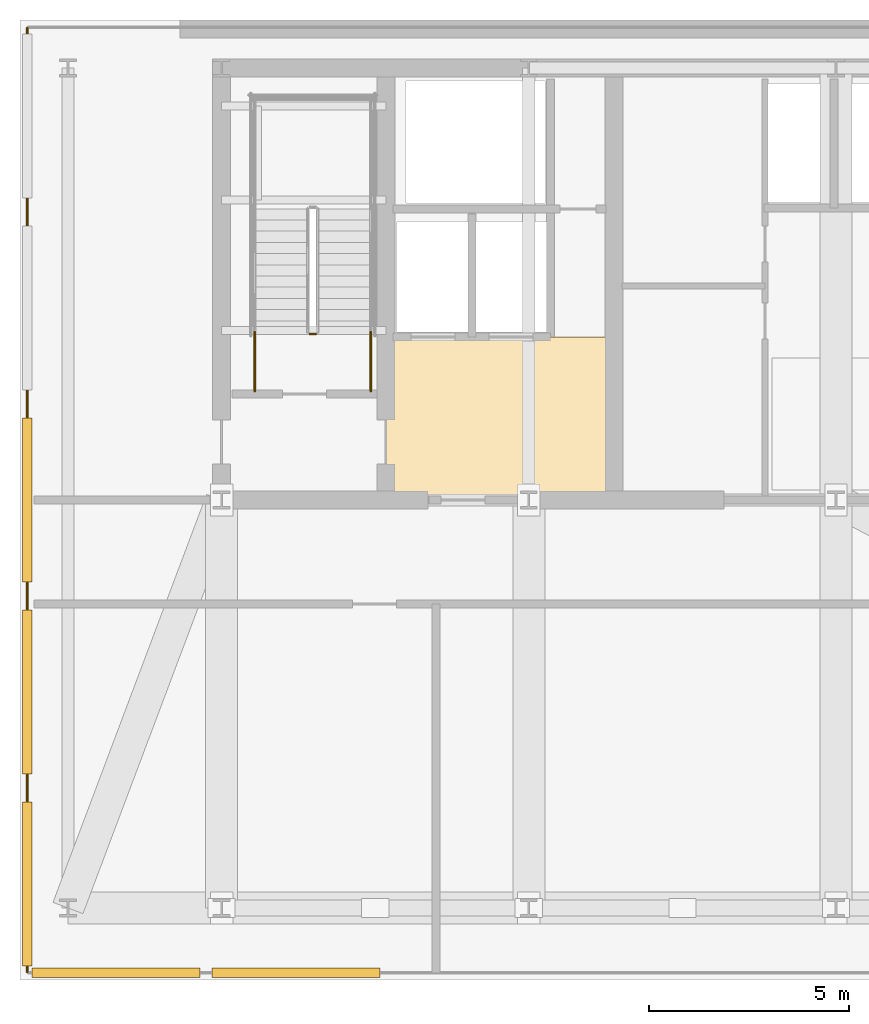
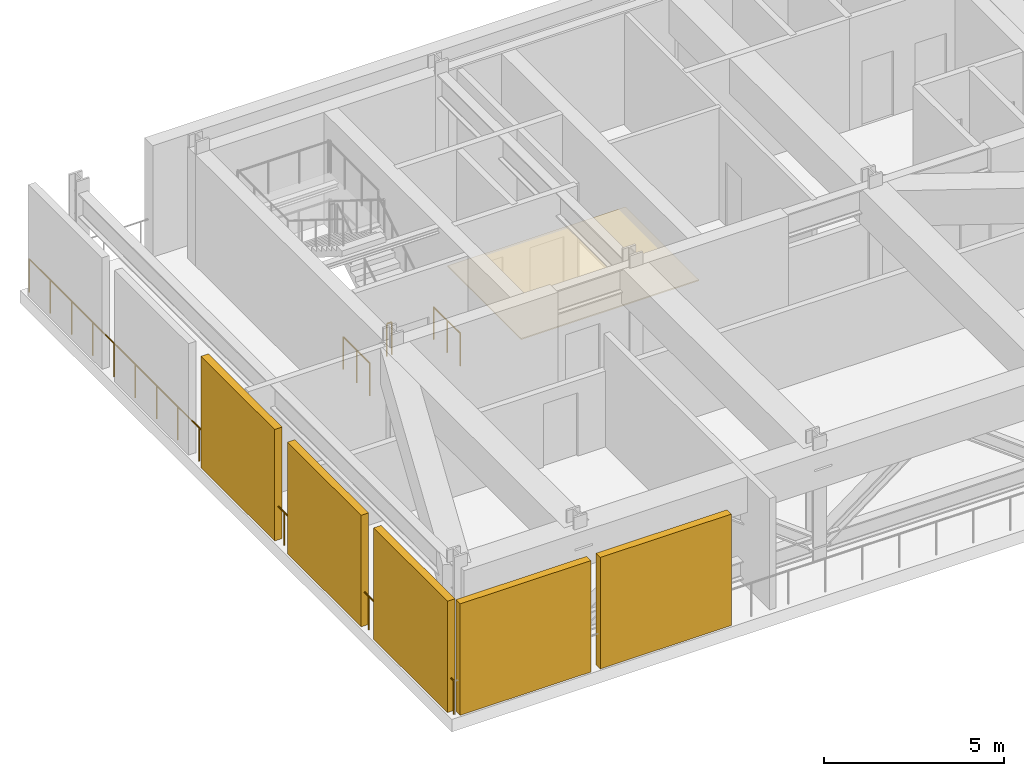
# One storey, part 4 of 8: 5 shading devices, 4 railings, 1 covering.
"""IFC4 building model written with IfcOpenShell, lengths in metres."""

import ifcopenshell
import ifcopenshell.guid

model = None  # the IFC model being written
_history = None  # IfcOwnerHistory: only IFC2X3 demands one
_inside = {}  # id of a spatial element -> (the spatial element, [elements in it])
_under = {}  # id of a project, library or spatial element -> (it, [spatial elements below it])
_declared = {}  # id of a project -> (the project, [libraries it declares])
_typed = {}  # id of a type object -> (the type object, [elements of that type])
_made_of = {}  # id of a material, layer set ... -> (it, [elements and type objects made of it])


def new_model(schema):
    """Start an empty IFC model of exactly this schema.

    Asked for "IFC4X3", IfcOpenShell would pick the latest addendum, in which some entities
    have other attributes; the version numbers below select the first issue.
    IFC2X3 requires an IfcOwnerHistory on every rooted entity: one is made here for all.
    """
    global model, _history
    if schema == "IFC4X3":
        model = ifcopenshell.file(schema_version=(4, 3, 0, 0))
    else:
        model = ifcopenshell.file(schema=schema)
    _inside.clear()
    _under.clear()
    _declared.clear()
    _typed.clear()
    _made_of.clear()
    _history = None
    if model.schema == "IFC2X3":
        org = make("IfcOrganization", Name="unknown")
        user = make(
            "IfcPersonAndOrganization",
            ThePerson=make("IfcPerson", FamilyName="unknown"),
            TheOrganization=org,
        )
        app = make(
            "IfcApplication",
            ApplicationDeveloper=org,
            Version="unknown",
            ApplicationFullName="unknown",
            ApplicationIdentifier="unknown",
        )
        _history = make(
            "IfcOwnerHistory",
            OwningUser=user,
            OwningApplication=app,
            ChangeAction="ADDED",
            CreationDate=0,
        )
    return model


def make(cls, **values):
    """One entity of the class cls with the attributes given. An attribute that is None is left unset."""
    return model.create_entity(
        cls, **{name: value for name, value in values.items() if value is not None}
    )


def rooted(cls, **values):
    """An entity with a GlobalId (a new one), such as an element, a storey or a relation."""
    return make(cls, GlobalId=ifcopenshell.guid.new(), OwnerHistory=_history, **values)


def si_unit(unit_type, name, prefix=None):
    """IfcSIUnit, for example si_unit("LENGTHUNIT", "METRE", prefix="MILLI")."""
    return make("IfcSIUnit", UnitType=unit_type, Prefix=prefix, Name=name)


def assignment(units):
    """IfcUnitAssignment: the units of a project."""
    return None if units is None else make("IfcUnitAssignment", Units=units)


def point(xyz):
    """IfcCartesianPoint."""
    return None if xyz is None else make("IfcCartesianPoint", Coordinates=xyz)


def direction(xyz):
    """IfcDirection."""
    return None if xyz is None else make("IfcDirection", DirectionRatios=xyz)


def frame(location, z_axis=None, x_axis=None):
    """IfcAxis2Placement3D, a coordinate frame: its origin and axes. An axis left out is left unset."""
    return make(
        "IfcAxis2Placement3D",
        Location=point(location),
        Axis=direction(z_axis),
        RefDirection=direction(x_axis),
    )


def frame_2d(location, x_axis=None):
    """IfcAxis2Placement2D, a coordinate frame in the plane: its origin and x axis."""
    return make(
        "IfcAxis2Placement2D", Location=point(location), RefDirection=direction(x_axis)
    )


def origin():
    """The frame at (0, 0, 0) with its axes left unset."""
    return frame((0.0, 0.0, 0.0))


def origin_2d():
    """The frame at (0, 0) in the plane with its x axis left unset."""
    return frame_2d((0.0, 0.0))


def place(relative_to, where):
    """IfcLocalPlacement: puts the frame where relative to a parent placement (None: the world)."""
    return make(
        "IfcLocalPlacement", PlacementRelTo=relative_to, RelativePlacement=where
    )


def context(
    kind, dimensions, precision=None, world=None, true_north=None, identifier=None
):
    """IfcGeometricRepresentationContext, for example the 3D "Model" context."""
    return make(
        "IfcGeometricRepresentationContext",
        ContextIdentifier=identifier,
        ContextType=kind,
        CoordinateSpaceDimension=dimensions,
        Precision=precision,
        WorldCoordinateSystem=world,
        TrueNorth=true_north,
    )


def subcontext(parent, identifier, kind, view, scale=None):
    """IfcGeometricRepresentationSubContext, for example "Body" below "Model"."""
    return make(
        "IfcGeometricRepresentationSubContext",
        ContextIdentifier=identifier,
        ContextType=kind,
        ParentContext=parent,
        TargetScale=scale,
        TargetView=view,
    )


def project(units=None, contexts=None):
    """IfcProject with its units and contexts."""
    return rooted(
        "IfcProject",
        Name="project",
        RepresentationContexts=contexts,
        UnitsInContext=assignment(units),
    )


def spatial(cls, under=None, at=None, **own):
    """A site, building, storey or space (cls), placed at a placement, below another one or the project."""
    s = rooted(cls, ObjectPlacement=at, **own)
    if under is not None:
        _under.setdefault(under.id(), (under, []))[1].append(s)
    return s


def polyline(points):
    """IfcPolyline through the points."""
    return make("IfcPolyline", Points=[point(p) for p in points])


def profile(cls, at=None, kind="AREA", **sizes):
    """A parametric profile (cls). Its sizes go by their IFC names, for example OverallWidth=200.0."""
    return make(cls, ProfileType=kind, Position=at, **sizes)


def rectangle(**sizes):
    """IfcRectangleProfileDef."""
    return profile("IfcRectangleProfileDef", **sizes)


def circle(**sizes):
    """IfcCircleProfileDef."""
    return profile("IfcCircleProfileDef", **sizes)


def outline(outer, holes=None, kind="AREA"):
    """IfcArbitraryClosedProfileDef: a profile drawn as a closed curve; with holes, ...WithVoids."""
    if holes is None:
        return make("IfcArbitraryClosedProfileDef", ProfileType=kind, OuterCurve=outer)
    return make(
        "IfcArbitraryProfileDefWithVoids",
        ProfileType=kind,
        OuterCurve=outer,
        InnerCurves=holes,
    )


def extrude(swept, where, along, depth):
    """IfcExtrudedAreaSolid: the profile swept, set in the frame where, extruded along a direction by depth."""
    return make(
        "IfcExtrudedAreaSolid",
        SweptArea=swept,
        Position=where,
        ExtrudedDirection=direction(along),
        Depth=depth,
    )


def shape(context_of_items, identifier, shape_type, items):
    """IfcShapeRepresentation: the items that make up one representation, for example the "Body"."""
    return make(
        "IfcShapeRepresentation",
        ContextOfItems=context_of_items,
        RepresentationIdentifier=identifier,
        RepresentationType=shape_type,
        Items=items,
    )


def material(Name=None, Category=None):
    """IfcMaterial."""
    return make("IfcMaterial", Name=Name, Category=Category)


def layer(
    of_material, thickness, ventilated=None, Name=None, Category=None, Priority=None
):
    """IfcMaterialLayer: one layer of a wall or slab, of a material (None: an air gap)."""
    return make(
        "IfcMaterialLayer",
        Material=of_material,
        LayerThickness=thickness,
        IsVentilated=ventilated,
        Name=Name,
        Category=Category,
        Priority=Priority,
    )


def layer_set(layers, Name=None):
    """IfcMaterialLayerSet."""
    return make("IfcMaterialLayerSet", MaterialLayers=layers, LayerSetName=Name)


def made_of(thing, what):
    """Note that an element or type object is made of a material, layer set ...; save() writes the relation."""
    if what is not None:
        _made_of.setdefault(what.id(), (what, []))[1].append(thing)
    return thing


def type_object(cls, material=None, **own):
    """A type object (cls), such as IfcWallType, which elements share."""
    return made_of(rooted(cls, **own), material)


def element(
    cls,
    number,
    at=None,
    inside=None,
    cuts=None,
    type_object=None,
    material=None,
    context=None,
    identifier="Body",
    shape_type=None,
    held_by="IfcProductDefinitionShape",
    body=None,
    shapes=None,
    **own,
):
    """One element of the class cls, such as IfcWall. Its Tag is "e" and its number.

    at: its placement. inside: the storey or other place that contains it. cuts: it is an
    opening in that element (IfcRelVoidsElement). A single representation is given by context,
    identifier, shape_type and body (its items); several are given by shapes. held_by: the class
    of the entity that holds the representations. save() writes the other relations.
    """
    e = rooted(cls, Tag="e%d" % number, ObjectPlacement=at, **own)
    if body is not None:
        shapes = [shape(context, identifier, shape_type, body)]
    if shapes is not None:
        e.Representation = make(held_by, Representations=shapes)
    if inside is not None:
        _inside.setdefault(inside.id(), (inside, []))[1].append(e)
    if cuts is not None:
        rooted(
            "IfcRelVoidsElement", RelatingBuildingElement=cuts, RelatedOpeningElement=e
        )
    if type_object is not None:
        _typed.setdefault(type_object.id(), (type_object, []))[1].append(e)
    return made_of(e, material)


def aggregate(whole, parts):
    """IfcRelAggregates: a whole, such as a stair, and the parts it consists of."""
    return rooted("IfcRelAggregates", RelatingObject=whole, RelatedObjects=parts)


def save(model, path):
    """Write the relations noted so far, then the file.

    IfcRelAggregates (storeys below a building ...), IfcRelContainedInSpatialStructure (elements
    in a storey), IfcRelDefinesByType, IfcRelAssociatesMaterial and IfcRelDeclares: one each for
    every whole, place, type object, material and project.
    """
    for whole, parts in _under.values():
        aggregate(whole, parts)
    for where, things in _inside.values():
        rooted(
            "IfcRelContainedInSpatialStructure",
            RelatedElements=things,
            RelatingStructure=where,
        )
    for kind, things in _typed.values():
        rooted("IfcRelDefinesByType", RelatedObjects=things, RelatingType=kind)
    for what, things in _made_of.values():
        rooted("IfcRelAssociatesMaterial", RelatedObjects=things, RelatingMaterial=what)
    for by, libraries in _declared.values():
        rooted("IfcRelDeclares", RelatingContext=by, RelatedDefinitions=libraries)
    model.write(path)


model = new_model("IFC4")

# Units and contexts
model_context = context("Model", 3, precision=1e-05, world=origin(), true_north=direction((0.0, 1.0)))
body_context = subcontext(model_context, "Body", "Model", "MODEL_VIEW")
ifc_project = project(units=[si_unit("LENGTHUNIT", "METRE"), si_unit("AREAUNIT", "SQUARE_METRE"), si_unit("VOLUMEUNIT", "CUBIC_METRE"), si_unit("PLANEANGLEUNIT", "RADIAN"), si_unit("MASSUNIT", "GRAM", prefix="KILO")], contexts=[model_context])

# Site, building, storey
site_placement = place(None, origin())
site = spatial("IfcSite", under=ifc_project, at=site_placement, CompositionType="ELEMENT")
building_placement = place(site_placement, origin())
building = spatial("IfcBuilding", under=site, at=building_placement, Name="Yelkora Congress Tower", CompositionType="ELEMENT")
storey_placement = place(building_placement, frame((0.0, 0.0, 200.300048828125)))
storey = spatial("IfcBuildingStorey", under=building, at=storey_placement, Name="L55", CompositionType="ELEMENT", Elevation=200.300048828125)

# Covering
ifc_material_1 = material(Name="Perforated mineral-fibre acoustic ceiling", Category="gypsum")
ifc_layer_1 = layer(ifc_material_1, 0.0400390625)
ifc_layer_set_1 = layer_set([ifc_layer_1], Name="Perforated mineral-fibre acoustic ceiling")
covering_type = type_object("IfcCoveringType", Name="COV-CEIL-ACOUSTIC-40", PredefinedType="CEILING", material=ifc_layer_set_1)
covering_placement = place(storey_placement, frame((0.0, 0.0, 2.39990234375)))
element("IfcCovering", 1, at=covering_placement, inside=storey, type_object=covering_type, Name="L55 Firefighting Lobby Acoustic Ceiling", PredefinedType="CEILING", context=body_context, shape_type="SweptSolid", body=[
    extrude(outline(polyline([(27.14990234375, 35.39990234375), (32.85009765625, 35.39990234375), (32.85009765625, 39.47998046875), (27.14990234375, 39.47998046875), (27.14990234375, 35.39990234375)])), origin(), (0.0, 0.0, 1.0), 0.0400390625),
])

# Railings
ifc_material_2 = material(Name="Stainless steel 316L and laminated glass infill", Category="steel")
ifc_layer_2 = layer(ifc_material_2, 0.080078125)
ifc_layer_set_2 = layer_set([ifc_layer_2], Name="Stainless steel 316L and laminated glass infill")
railing_type_1 = type_object("IfcRailingType", Name="RAIL-EXT-GUARD-1150", PredefinedType="GUARDRAIL", material=ifc_layer_set_2)
railing_1_placement = place(storey_placement, frame((18.179931640625, 23.60009765625, 0.0)))
element("IfcRailing", 2, at=railing_1_placement, inside=storey, type_object=railing_type_1, Name="L55 Wind-Floor Perimeter Guardrail W", PredefinedType="GUARDRAIL", context=body_context, shape_type="SweptSolid", body=[
    extrude(circle(Radius=0.02392578125, at=origin_2d()), frame((0.0, 0.0, 1.1259765625), z_axis=(0.0, 1.0, 0.0), x_axis=(-1.0, 0.0, 0.0)), (0.0, 0.0, 1.0), 23.599853515625),
    extrude(circle(Radius=0.02099609375, at=origin_2d()), origin(), (0.0, 0.0, 1.0), 1.101806640625),
    extrude(circle(Radius=0.02099609375, at=origin_2d()), frame((0.0, 1.179931640625, 0.0)), (0.0, 0.0, 1.0), 1.101806640625),
    extrude(circle(Radius=0.02099609375, at=origin_2d()), frame((0.0, 2.35986328125, 0.0)), (0.0, 0.0, 1.0), 1.101806640625),
    extrude(circle(Radius=0.02099609375, at=origin_2d()), frame((0.0, 3.5400390625, 0.0)), (0.0, 0.0, 1.0), 1.101806640625),
    extrude(circle(Radius=0.02099609375, at=origin_2d()), frame((0.0, 4.719970703125, 0.0)), (0.0, 0.0, 1.0), 1.101806640625),
    extrude(circle(Radius=0.02099609375, at=origin_2d()), frame((0.0, 5.89990234375, 0.0)), (0.0, 0.0, 1.0), 1.101806640625),
    extrude(circle(Radius=0.02099609375, at=origin_2d()), frame((0.0, 7.080078125, 0.0)), (0.0, 0.0, 1.0), 1.101806640625),
    extrude(circle(Radius=0.02099609375, at=origin_2d()), frame((0.0, 8.260009765625, 0.0)), (0.0, 0.0, 1.0), 1.101806640625),
    extrude(circle(Radius=0.02099609375, at=origin_2d()), frame((0.0, 9.43994140625, 0.0)), (0.0, 0.0, 1.0), 1.101806640625),
    extrude(circle(Radius=0.02099609375, at=origin_2d()), frame((0.0, 10.619873046875, 0.0)), (0.0, 0.0, 1.0), 1.101806640625),
    extrude(circle(Radius=0.02099609375, at=origin_2d()), frame((0.0, 11.7998046875, 0.0)), (0.0, 0.0, 1.0), 1.101806640625),
    extrude(circle(Radius=0.02099609375, at=origin_2d()), frame((0.0, 12.97998046875, 0.0)), (0.0, 0.0, 1.0), 1.101806640625),
    extrude(circle(Radius=0.02099609375, at=origin_2d()), frame((0.0, 14.159912109375, 0.0)), (0.0, 0.0, 1.0), 1.101806640625),
    extrude(circle(Radius=0.02099609375, at=origin_2d()), frame((0.0, 15.33984375, 0.0)), (0.0, 0.0, 1.0), 1.101806640625),
    extrude(circle(Radius=0.02099609375, at=origin_2d()), frame((0.0, 16.52001953125, 0.0)), (0.0, 0.0, 1.0), 1.101806640625),
    extrude(circle(Radius=0.02099609375, at=origin_2d()), frame((0.0, 17.699951171875, 0.0)), (0.0, 0.0, 1.0), 1.101806640625),
    extrude(circle(Radius=0.02099609375, at=origin_2d()), frame((0.0, 18.8798828125, 0.0)), (0.0, 0.0, 1.0), 1.101806640625),
    extrude(circle(Radius=0.02099609375, at=origin_2d()), frame((0.0, 20.059814453125, 0.0)), (0.0, 0.0, 1.0), 1.101806640625),
    extrude(circle(Radius=0.02099609375, at=origin_2d()), frame((0.0, 21.23974609375, 0.0)), (0.0, 0.0, 1.0), 1.101806640625),
    extrude(circle(Radius=0.02099609375, at=origin_2d()), frame((0.0, 22.419921875, 0.0)), (0.0, 0.0, 1.0), 1.101806640625),
    extrude(circle(Radius=0.02099609375, at=origin_2d()), frame((0.0, 23.599853515625, 0.0)), (0.0, 0.0, 1.0), 1.101806640625),
])
ifc_material_3 = material(Name="Painted galvanised steel stair well guard with vertical infill", Category="steel")
ifc_layer_3 = layer(ifc_material_3, 0.06005859375)
ifc_layer_set_3 = layer_set([ifc_layer_3], Name="Painted galvanised steel stair well guard with vertical infill")
railing_type_2 = type_object("IfcRailingType", Name="RAIL-STAIR-GUARD-1120", PredefinedType="GUARDRAIL", material=ifc_layer_set_3)
railing_2_placement = place(storey_placement, frame((25.39990234375, 39.550048828125, 0.0)))
element("IfcRailing", 3, at=railing_2_placement, inside=storey, type_object=railing_type_2, Name="ST-01 L55 Stair Well Guardrail 7", PredefinedType="GUARDRAIL", context=body_context, shape_type="SweptSolid", body=[
    extrude(circle(Radius=0.02392578125, at=origin_2d()), frame((0.0, 0.0, 1.09619140625), z_axis=(-1.0, 0.0, 0.0), x_axis=(0.0, -1.0, 0.0)), (0.0, 0.0, 1.0), 0.159912109375),
    extrude(circle(Radius=0.02099609375, at=origin_2d()), origin(), (0.0, 0.0, 1.0), 1.072021484375),
    extrude(circle(Radius=0.02099609375, at=origin_2d()), frame((-0.159912109375, 0.0, 0.0)), (0.0, 0.0, 1.0), 1.072021484375),
])
for number, where, name in (
    (4, (26.77001953125, 38.1201171875, 0.0), "ST-01 L55 Stair Well Guardrail 8"),
    (5, (23.8701171875, 38.1201171875, 0.0), "ST-01 L55 Stair Well Guardrail 9"),
):
    element("IfcRailing", number, at=place(storey_placement, frame(where)), inside=storey, type_object=railing_type_2, Name=name, PredefinedType="GUARDRAIL", context=body_context, shape_type="SweptSolid", body=[
        extrude(circle(Radius=0.02392578125, at=origin_2d()), frame((0.0, 0.0, 1.09619140625), z_axis=(0.0, 1.0, 0.0), x_axis=(-1.0, 0.0, 0.0)), (0.0, 0.0, 1.0), 1.47998046875),
        extrude(circle(Radius=0.02099609375, at=origin_2d()), origin(), (0.0, 0.0, 1.0), 1.072021484375),
        extrude(circle(Radius=0.02099609375, at=origin_2d()), frame((0.0, 0.739990234375, 0.0)), (0.0, 0.0, 1.0), 1.072021484375),
        extrude(circle(Radius=0.02099609375, at=origin_2d()), frame((0.0, 1.47998046875, 0.0)), (0.0, 0.0, 1.0), 1.072021484375),
    ])

# Shading devices
ifc_material_4 = material(Name="Perforated anodised aluminium louvre", Category="aluminium")
ifc_layer_4 = layer(ifc_material_4, 3.39990234375)
ifc_layer_set_4 = layer_set([ifc_layer_4], Name="Perforated anodised aluminium louvre")
shading_device_type = type_object("IfcShadingDeviceType", Name="SHD-LOUVRE-WIND", PredefinedType="JALOUSIE", material=ifc_layer_set_4)
for number, where, z_axis, x_axis, name in (
    (6, (18.179931640625, 25.800048828125, 0.0), (0.0, 0.0, 1.0), (1.0, 0.0, 0.0), "L55 Acoustic Wind-Floor Louvre Screen W1"),
    (7, (18.179931640625, 30.60009765625, 0.0), (0.0, 0.0, 1.0), (1.0, 0.0, 0.0), "L55 Acoustic Wind-Floor Louvre Screen W2"),
    (8, (18.179931640625, 35.39990234375, 0.0), (0.0, 0.0, 1.0), (1.0, 0.0, 0.0), "L55 Acoustic Wind-Floor Louvre Screen W3"),
):
    element("IfcShadingDevice", number, at=place(storey_placement, frame(where, z_axis=z_axis, x_axis=x_axis)), inside=storey, type_object=shading_device_type, Name=name, PredefinedType="JALOUSIE", context=body_context, shape_type="SweptSolid", body=[
        extrude(rectangle(XDim=0.239990234375, YDim=4.10009765625, at=origin_2d()), origin(), (0.0, 0.0, 1.0), 3.780029296875),
    ])
for number, where, z_axis, x_axis, name in (
    (9, (20.39990234375, 23.580078125, 0.0), (0.0, 0.0, 1.0), (1.0, 0.0, 0.0), "L55 South Blow-Through Wind Louvre 1"),
    (10, (24.89990234375, 23.580078125, 0.0), (0.0, 0.0, 1.0), (1.0, 0.0, 0.0), "L55 South Blow-Through Wind Louvre 2"),
):
    element("IfcShadingDevice", number, at=place(storey_placement, frame(where, z_axis=z_axis, x_axis=x_axis)), inside=storey, type_object=shading_device_type, Name=name, PredefinedType="JALOUSIE", context=body_context, shape_type="SweptSolid", body=[
        extrude(rectangle(XDim=4.199951171875, YDim=0.239990234375, at=origin_2d()), origin(), (0.0, 0.0, 1.0), 3.780029296875),
    ])

save(model, "model.ifc")
